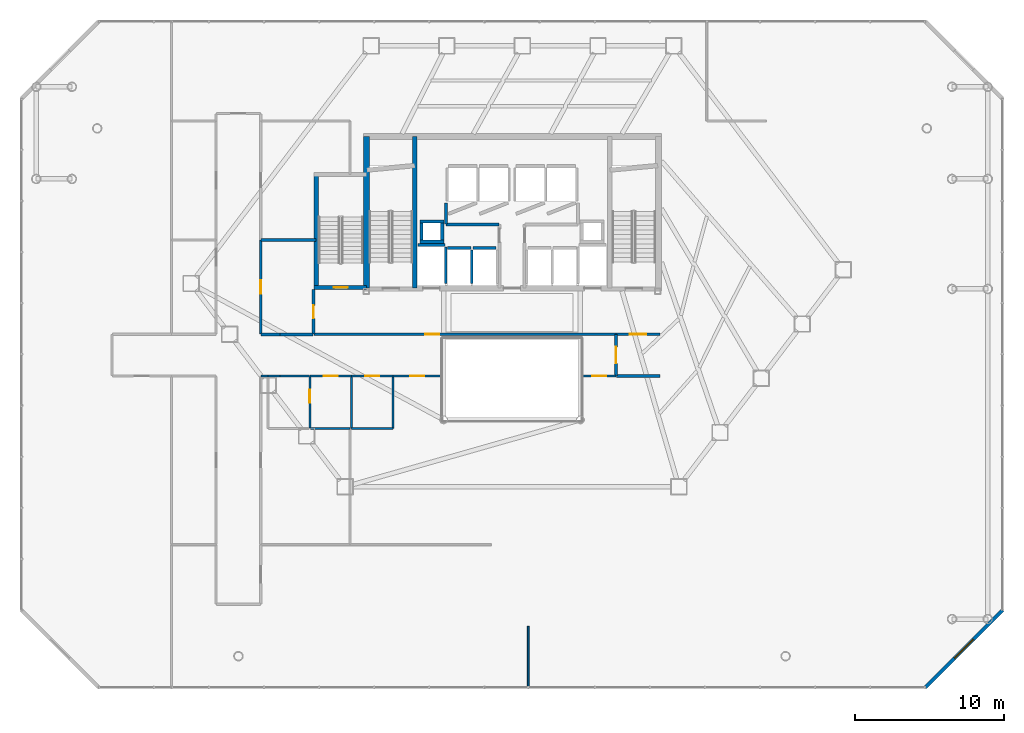
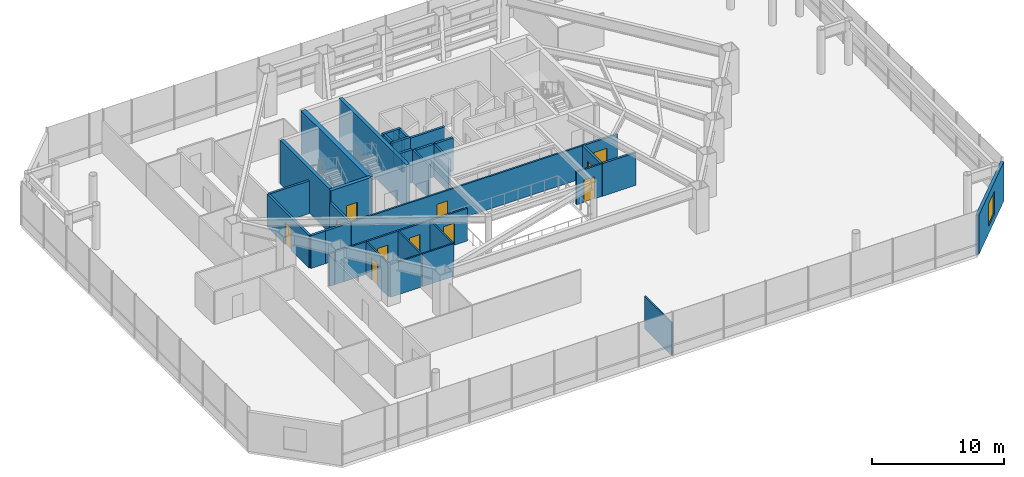
# One storey, part 30 of 33: 38 walls, 11 doors, 1 window, 12 openings.
"""IFC4 building model written with IfcOpenShell, lengths in metres."""

from ifc_helpers import new_model, si_unit, direction, frame, frame_2d, origin, place, context, subcontext, project, spatial, rectangle, extrude, material, layer, layer_set, type_object, element, fill, save


model = new_model("IFC4")

# Units and contexts
model_context = context("Model", 3, precision=1e-05, world=origin(), true_north=direction((0.0, 1.0)))
body_context = subcontext(model_context, "Body", "Model", "MODEL_VIEW")
ifc_project = project(units=[si_unit("LENGTHUNIT", "METRE"), si_unit("AREAUNIT", "SQUARE_METRE"), si_unit("VOLUMEUNIT", "CUBIC_METRE"), si_unit("PLANEANGLEUNIT", "RADIAN"), si_unit("MASSUNIT", "GRAM", prefix="KILO")], contexts=[model_context])

# Site, building, storey
site_placement = place(None, origin())
site = spatial("IfcSite", under=ifc_project, at=site_placement, CompositionType="ELEMENT")
building_placement = place(site_placement, origin())
building = spatial("IfcBuilding", under=site, at=building_placement, Name="Zarrinselat Tower", CompositionType="ELEMENT")
storey_placement = place(building_placement, frame((0.0, 0.0, 18.360107421875)))
storey = spatial("IfcBuildingStorey", under=building, at=storey_placement, Name="L04", CompositionType="ELEMENT", Elevation=18.360107421875)

# Wall, opening, window
ifc_material_1 = material(Name="Honed Cream Travertine Stone", Category="masonry")
ifc_layer_1 = layer(ifc_material_1, 0.260009765625)
ifc_layer_set_1 = layer_set([ifc_layer_1], Name="Honed Cream Travertine Stone")
wall_type_1 = type_object("IfcWallType", Name="WAL-EXT-STONE-260", PredefinedType="STANDARD", material=ifc_layer_set_1)
wall_1_placement = place(storey_placement, frame((66.199951171875, 6.39990234375, 0.0), z_axis=(0.0, 0.0, 1.0), x_axis=(0.707090181851, 0.707123380132, 0.0)))
wall_1 = element("IfcWall", 1, at=wall_1_placement, inside=storey, type_object=wall_type_1, Name="L04 Chamfered Stone Corner Wall 1", PredefinedType="STANDARD", context=body_context, shape_type="SweptSolid", body=[
    extrude(rectangle(XDim=7.35400390625, YDim=0.260009765625, at=frame_2d((3.677001953125, 0.0))), origin(), (0.0, 0.0, 1.0), 3.64990234375),
])
opening_1_placement = place(wall_1_placement, frame((2.777099609375, 0.0, 0.699951171875)))
opening_1 = element("IfcOpeningElement", 2, at=opening_1_placement, cuts=wall_1, Name="Opening WN-2", PredefinedType="OPENING", context=body_context, shape_type="SweptSolid", body=[
    extrude(rectangle(XDim=1.800048828125, YDim=2.10009765625, at=frame_2d((0.89990234375, 1.050048828125))), frame((0.0, 0.139892578125, 0.0), z_axis=(0.0, -1.0, 0.0), x_axis=(1.0, 0.0, 0.0)), (0.0, 0.0, 1.0), 0.280029296875),
])
ifc_material_2 = material(Name="Double Low-E Laminated Solar Glass", Category="glass")
window_type = type_object("IfcWindowType", Name="WIN-GALLERY-1800", PartitioningType="SINGLE_PANEL", PredefinedType="WINDOW", material=ifc_material_2)
window_placement = place(opening_1_placement, origin())
window = element("IfcWindow", 3, at=window_placement, inside=storey, type_object=window_type, Name="L04 Corner Gallery Window 1", OverallHeight=2.10009765625, OverallWidth=1.800048828125, PartitioningType="SINGLE_PANEL", PredefinedType="WINDOW", context=body_context, shape_type="SweptSolid", body=[
    extrude(rectangle(XDim=1.800048828125, YDim=2.10009765625, at=frame_2d((0.89990234375, 1.050048828125))), frame((0.0, 0.030029296875, 0.0), z_axis=(0.0, -1.0, 0.0), x_axis=(1.0, 0.0, 0.0)), (0.0, 0.0, 1.0), 0.06005859375),
])
fill(opening_1, window)

# Wall, opening, door
ifc_material_3 = material(Name="Concrete C40/50", Category="concrete")
ifc_layer_2 = layer(ifc_material_3, 0.18994140625)
ifc_layer_set_2 = layer_set([ifc_layer_2], Name="Concrete C40/50")
wall_type_2 = type_object("IfcWallType", Name="WAL-PART-EI120", PredefinedType="PARTITIONING", material=ifc_layer_set_2)
wall_2_placement = place(storey_placement, frame((45.405029296875, 30.14990234375, 0.0), z_axis=(0.0, 0.0, 1.0), x_axis=(1.0, 0.0, 0.0)))
wall_2 = element("IfcWall", 4, at=wall_2_placement, inside=storey, type_object=wall_type_2, Name="L04 Partition Wall 7", PredefinedType="PARTITIONING", context=body_context, shape_type="SweptSolid", body=[
    extrude(rectangle(XDim=2.945068359375, YDim=0.18994140625, at=frame_2d((1.47265625, 0.0))), origin(), (0.0, 0.0, 1.0), 3.02685546875),
])
opening_2_placement = place(wall_2_placement, frame((0.91259765625, 0.0, 0.0)))
opening_2 = element("IfcOpeningElement", 5, at=opening_2_placement, cuts=wall_2, Name="Opening ID-02", PredefinedType="OPENING", context=body_context, shape_type="SweptSolid", body=[
    extrude(rectangle(XDim=1.1201171875, YDim=2.050048828125, at=frame_2d((0.56005859375, 1.02490234375))), frame((0.0, 0.10498046875, 0.0), z_axis=(0.0, -1.0, 0.0), x_axis=(1.0, 0.0, 0.0)), (0.0, 0.0, 1.0), 0.2099609375),
])
ifc_material_4 = material(Name="Steel S355J2", Category="steel")
door_type_1 = type_object("IfcDoorType", Name="DR-INT-FD60-W", OperationType="NOTDEFINED", PredefinedType="DOOR", material=ifc_material_4)
door_1_placement = place(opening_2_placement, origin())
door_1 = element("IfcDoor", 6, at=door_1_placement, inside=storey, type_object=door_type_1, Name="L04 Interior Door P7", OperationType="SINGLE_SWING_RIGHT", OverallHeight=2.050048828125, OverallWidth=1.1201171875, PredefinedType="DOOR", context=body_context, shape_type="SweptSolid", body=[
    extrude(rectangle(XDim=1.1201171875, YDim=2.050048828125, at=frame_2d((0.56005859375, 1.02490234375))), frame((0.0, 0.02490234375, 0.0), z_axis=(0.0, -1.0, 0.0), x_axis=(1.0, 0.0, 0.0)), (0.0, 0.0, 1.0), 0.050048828125),
])
fill(opening_2, door_1)

wall_3_placement = place(storey_placement, frame((45.39990234375, 27.3701171875, 0.0), z_axis=(0.0, 0.0, 1.0), x_axis=(0.0, 1.0, 0.0)))
wall_3 = element("IfcWall", 7, at=wall_3_placement, inside=storey, type_object=wall_type_2, Name="L04 Partition Wall 10", PredefinedType="PARTITIONING", context=body_context, shape_type="SweptSolid", body=[
    extrude(rectangle(XDim=2.759765625, YDim=0.18994140625, at=frame_2d((1.3798828125, 0.0))), origin(), (0.0, 0.0, 1.0), 3.02685546875),
])
opening_3_placement = place(wall_3_placement, frame((0.820068359375, 0.0, 0.0)))
opening_3 = element("IfcOpeningElement", 8, at=opening_3_placement, cuts=wall_3, Name="Opening ID-02", PredefinedType="OPENING", context=body_context, shape_type="SweptSolid", body=[
    extrude(rectangle(XDim=1.1201171875, YDim=2.050048828125, at=frame_2d((0.56005859375, 1.02490234375))), frame((0.0, 0.10498046875, 0.0), z_axis=(0.0, -1.0, 0.0), x_axis=(1.0, 0.0, 0.0)), (0.0, 0.0, 1.0), 0.2099609375),
])
door_2_placement = place(opening_3_placement, origin())
door_2 = element("IfcDoor", 9, at=door_2_placement, inside=storey, type_object=door_type_1, Name="L04 Interior Door P10", OperationType="SINGLE_SWING_LEFT", OverallHeight=2.050048828125, OverallWidth=1.1201171875, PredefinedType="DOOR", context=body_context, shape_type="SweptSolid", body=[
    extrude(rectangle(XDim=1.1201171875, YDim=2.050048828125, at=frame_2d((0.56005859375, 1.02490234375))), frame((0.0, 0.02490234375, 0.0), z_axis=(0.0, -1.0, 0.0), x_axis=(1.0, 0.0, 0.0)), (0.0, 0.0, 1.0), 0.050048828125),
])
fill(opening_3, door_2)

# Wall
wall_4_placement = place(storey_placement, frame((45.419921875, 27.35009765625, 0.0), z_axis=(0.0, 0.0, 1.0), x_axis=(1.0, 0.0, 0.0)))
element("IfcWall", 10, at=wall_4_placement, inside=storey, type_object=wall_type_2, Name="L04 Partition Wall 11", PredefinedType="PARTITIONING", context=body_context, shape_type="SweptSolid", body=[
    extrude(rectangle(XDim=2.93017578125, YDim=0.18994140625, at=frame_2d((1.465087890625, 0.0))), origin(), (0.0, 0.0, 1.0), 3.02685546875),
])

# Wall, opening, door
ifc_material_5 = material(Name="Fire-Rated Gypsum Board Partition", Category="gypsum")
ifc_layer_3 = layer(ifc_material_5, 0.14990234375)
ifc_layer_set_3 = layer_set([ifc_layer_3], Name="Fire-Rated Gypsum Board Partition")
wall_type_3 = type_object("IfcWallType", Name="WAL-PART-EI60", PredefinedType="PARTITIONING", material=ifc_layer_set_3)
wall_5_placement = place(storey_placement, frame((25.070068359375, 30.14990234375, 0.0), z_axis=(0.0, 0.0, 1.0), x_axis=(1.0, 0.0, 0.0)))
wall_5 = element("IfcWall", 11, at=wall_5_placement, inside=storey, type_object=wall_type_3, Name="L04 Partition Wall 8", PredefinedType="PARTITIONING", context=body_context, shape_type="SweptSolid", body=[
    extrude(rectangle(XDim=20.324951171875, YDim=0.14990234375, at=frame_2d((10.16259765625, 0.0))), origin(), (0.0, 0.0, 1.0), 3.02685546875),
])
opening_4_placement = place(wall_5_placement, frame((7.492431640625, 0.0, 0.0)))
opening_4 = element("IfcOpeningElement", 12, at=opening_4_placement, cuts=wall_5, Name="Opening ID-04", PredefinedType="OPENING", context=body_context, shape_type="SweptSolid", body=[
    extrude(rectangle(XDim=0.93994140625, YDim=2.050048828125, at=frame_2d((0.469970703125, 1.02490234375))), frame((0.0, 0.0849609375, 0.0), z_axis=(0.0, -1.0, 0.0), x_axis=(1.0, 0.0, 0.0)), (0.0, 0.0, 1.0), 0.169921875),
])
ifc_material_6 = material(Name="Fire-Rated Gypsum Board Partition")
door_type_2 = type_object("IfcDoorType", Name="DR-INT-FD30-ENT", OperationType="NOTDEFINED", PredefinedType="DOOR", material=ifc_material_6)
door_3_placement = place(opening_4_placement, origin())
door_3 = element("IfcDoor", 13, at=door_3_placement, inside=storey, type_object=door_type_2, Name="L04 Interior Door P8", OperationType="SINGLE_SWING_LEFT", OverallHeight=2.050048828125, OverallWidth=0.93994140625, PredefinedType="DOOR", context=body_context, shape_type="SweptSolid", body=[
    extrude(rectangle(XDim=0.93994140625, YDim=2.050048828125, at=frame_2d((0.469970703125, 1.02490234375))), frame((0.0, 0.02490234375, 0.0), z_axis=(0.0, -1.0, 0.0), x_axis=(1.0, 0.0, 0.0)), (0.0, 0.0, 1.0), 0.050048828125),
])
fill(opening_4, door_3)

# Walls
wall_6_placement = place(storey_placement, frame((22.800048828125, 27.35009765625, 0.0), z_axis=(0.0, 0.0, 1.0), x_axis=(1.0, 0.0, 0.0)))
element("IfcWall", 14, at=wall_6_placement, inside=storey, type_object=wall_type_3, Name="L04 Partition Wall 12", PredefinedType="PARTITIONING", context=body_context, shape_type="SweptSolid", body=[
    extrude(rectangle(XDim=1.994873046875, YDim=0.14990234375, at=frame_2d((0.99755859375, 0.0))), origin(), (0.0, 0.0, 1.0), 3.02685546875),
])
wall_7_placement = place(storey_placement, frame((22.0048828125, 27.35009765625, 0.0), z_axis=(0.0, 0.0, 1.0), x_axis=(1.0, 0.0, 0.0)))
element("IfcWall", 15, at=wall_7_placement, inside=storey, type_object=wall_type_3, Name="L04 Partition Wall 13", PredefinedType="PARTITIONING", context=body_context, shape_type="SweptSolid", body=[
    extrude(rectangle(XDim=0.795166015625, YDim=0.14990234375, at=frame_2d((0.3974609375, 0.0))), origin(), (0.0, 0.0, 1.0), 3.02685546875),
])

# Wall, opening, door
wall_8_placement = place(storey_placement, frame((24.804931640625, 27.35009765625, 0.0), z_axis=(0.0, 0.0, 1.0), x_axis=(1.0, 0.0, 0.0)))
wall_8 = element("IfcWall", 16, at=wall_8_placement, inside=storey, type_object=wall_type_3, Name="L04 Partition Wall 14", PredefinedType="PARTITIONING", context=body_context, shape_type="SweptSolid", body=[
    extrude(rectangle(XDim=2.7900390625, YDim=0.14990234375, at=frame_2d((1.39501953125, 0.0))), origin(), (0.0, 0.0, 1.0), 3.02685546875),
])
opening_5_placement = place(wall_8_placement, frame((0.925048828125, 0.0, 0.0)))
opening_5 = element("IfcOpeningElement", 17, at=opening_5_placement, cuts=wall_8, Name="Opening ID-04", PredefinedType="OPENING", context=body_context, shape_type="SweptSolid", body=[
    extrude(rectangle(XDim=0.93994140625, YDim=2.050048828125, at=frame_2d((0.469970703125, 1.02490234375))), frame((0.0, 0.0849609375, 0.0), z_axis=(0.0, -1.0, 0.0), x_axis=(1.0, 0.0, 0.0)), (0.0, 0.0, 1.0), 0.169921875),
])
door_4_placement = place(opening_5_placement, origin())
door_4 = element("IfcDoor", 18, at=door_4_placement, inside=storey, type_object=door_type_2, Name="L04 Interior Door P14", OperationType="SINGLE_SWING_RIGHT", OverallHeight=2.050048828125, OverallWidth=0.93994140625, PredefinedType="DOOR", context=body_context, shape_type="SweptSolid", body=[
    extrude(rectangle(XDim=0.93994140625, YDim=2.050048828125, at=frame_2d((0.469970703125, 1.02490234375))), frame((0.0, 0.02490234375, 0.0), z_axis=(0.0, -1.0, 0.0), x_axis=(1.0, 0.0, 0.0)), (0.0, 0.0, 1.0), 0.050048828125),
])
fill(opening_5, door_4)

wall_9_placement = place(storey_placement, frame((27.60498046875, 27.35009765625, 0.0), z_axis=(0.0, 0.0, 1.0), x_axis=(1.0, 0.0, 0.0)))
wall_9 = element("IfcWall", 19, at=wall_9_placement, inside=storey, type_object=wall_type_3, Name="L04 Partition Wall 15", PredefinedType="PARTITIONING", context=body_context, shape_type="SweptSolid", body=[
    extrude(rectangle(XDim=2.7900390625, YDim=0.14990234375, at=frame_2d((1.39501953125, 0.0))), origin(), (0.0, 0.0, 1.0), 3.02685546875),
])
opening_6_placement = place(wall_9_placement, frame((0.925048828125, 0.0, 0.0)))
opening_6 = element("IfcOpeningElement", 20, at=opening_6_placement, cuts=wall_9, Name="Opening ID-04", PredefinedType="OPENING", context=body_context, shape_type="SweptSolid", body=[
    extrude(rectangle(XDim=0.93994140625, YDim=2.050048828125, at=frame_2d((0.469970703125, 1.02490234375))), frame((0.0, 0.0849609375, 0.0), z_axis=(0.0, -1.0, 0.0), x_axis=(1.0, 0.0, 0.0)), (0.0, 0.0, 1.0), 0.169921875),
])
door_5_placement = place(opening_6_placement, origin())
door_5 = element("IfcDoor", 21, at=door_5_placement, inside=storey, type_object=door_type_2, Name="L04 Interior Door P15", OperationType="SINGLE_SWING_LEFT", OverallHeight=2.050048828125, OverallWidth=0.93994140625, PredefinedType="DOOR", context=body_context, shape_type="SweptSolid", body=[
    extrude(rectangle(XDim=0.93994140625, YDim=2.050048828125, at=frame_2d((0.469970703125, 1.02490234375))), frame((0.0, 0.02490234375, 0.0), z_axis=(0.0, -1.0, 0.0), x_axis=(1.0, 0.0, 0.0)), (0.0, 0.0, 1.0), 0.050048828125),
])
fill(opening_6, door_5)

# Wall
wall_10_placement = place(storey_placement, frame((21.52001953125, 27.35009765625, 0.0), z_axis=(0.0, 0.0, 1.0), x_axis=(1.0, 0.0, 0.0)))
element("IfcWall", 22, at=wall_10_placement, inside=storey, type_object=wall_type_3, Name="L04 Partition Wall 19", PredefinedType="PARTITIONING", context=body_context, shape_type="SweptSolid", body=[
    extrude(rectangle(XDim=0.47509765625, YDim=0.14990234375, at=frame_2d((0.237548828125, 0.0))), origin(), (0.0, 0.0, 1.0), 3.02685546875),
])

# Wall, opening, door
wall_11_placement = place(storey_placement, frame((30.405029296875, 27.35009765625, 0.0), z_axis=(0.0, 0.0, 1.0), x_axis=(1.0, 0.0, 0.0)))
wall_11 = element("IfcWall", 23, at=wall_11_placement, inside=storey, type_object=wall_type_3, Name="L04 Partition Wall 21", PredefinedType="PARTITIONING", context=body_context, shape_type="SweptSolid", body=[
    extrude(rectangle(XDim=3.215087890625, YDim=0.14990234375, at=frame_2d((1.607421875, 0.0))), origin(), (0.0, 0.0, 1.0), 3.02685546875),
])
opening_7_placement = place(wall_11_placement, frame((1.137451171875, 0.0, 0.0)))
opening_7 = element("IfcOpeningElement", 24, at=opening_7_placement, cuts=wall_11, Name="Opening ID-04", PredefinedType="OPENING", context=body_context, shape_type="SweptSolid", body=[
    extrude(rectangle(XDim=0.93994140625, YDim=2.050048828125, at=frame_2d((0.469970703125, 1.02490234375))), frame((0.0, 0.0849609375, 0.0), z_axis=(0.0, -1.0, 0.0), x_axis=(1.0, 0.0, 0.0)), (0.0, 0.0, 1.0), 0.169921875),
])
door_6_placement = place(opening_7_placement, origin())
door_6 = element("IfcDoor", 25, at=door_6_placement, inside=storey, type_object=door_type_2, Name="L04 Interior Door P21", OperationType="SINGLE_SWING_RIGHT", OverallHeight=2.050048828125, OverallWidth=0.93994140625, PredefinedType="DOOR", context=body_context, shape_type="SweptSolid", body=[
    extrude(rectangle(XDim=0.93994140625, YDim=2.050048828125, at=frame_2d((0.469970703125, 1.02490234375))), frame((0.0, 0.02490234375, 0.0), z_axis=(0.0, -1.0, 0.0), x_axis=(1.0, 0.0, 0.0)), (0.0, 0.0, 1.0), 0.050048828125),
])
fill(opening_7, door_6)

wall_12_placement = place(storey_placement, frame((43.179931640625, 27.35009765625, 0.0), z_axis=(0.0, 0.0, 1.0), x_axis=(1.0, 0.0, 0.0)))
wall_12 = element("IfcWall", 26, at=wall_12_placement, inside=storey, type_object=wall_type_3, Name="L04 Partition Wall 22", PredefinedType="PARTITIONING", context=body_context, shape_type="SweptSolid", body=[
    extrude(rectangle(XDim=2.199951171875, YDim=0.14990234375, at=frame_2d((1.10009765625, 0.0))), origin(), (0.0, 0.0, 1.0), 3.02685546875),
])
opening_8_placement = place(wall_12_placement, frame((0.6298828125, 0.0, 0.0)))
opening_8 = element("IfcOpeningElement", 27, at=opening_8_placement, cuts=wall_12, Name="Opening ID-04", PredefinedType="OPENING", context=body_context, shape_type="SweptSolid", body=[
    extrude(rectangle(XDim=0.93994140625, YDim=2.050048828125, at=frame_2d((0.469970703125, 1.02490234375))), frame((0.0, 0.0849609375, 0.0), z_axis=(0.0, -1.0, 0.0), x_axis=(1.0, 0.0, 0.0)), (0.0, 0.0, 1.0), 0.169921875),
])
door_7_placement = place(opening_8_placement, origin())
door_7 = element("IfcDoor", 28, at=door_7_placement, inside=storey, type_object=door_type_2, Name="L04 Interior Door P22", OperationType="SINGLE_SWING_LEFT", OverallHeight=2.050048828125, OverallWidth=0.93994140625, PredefinedType="DOOR", context=body_context, shape_type="SweptSolid", body=[
    extrude(rectangle(XDim=0.93994140625, YDim=2.050048828125, at=frame_2d((0.469970703125, 1.02490234375))), frame((0.0, 0.02490234375, 0.0), z_axis=(0.0, -1.0, 0.0), x_axis=(1.0, 0.0, 0.0)), (0.0, 0.0, 1.0), 0.050048828125),
])
fill(opening_8, door_7)

# Walls
ifc_material_7 = material(Name="Concrete C40/50", Category="concrete")
ifc_layer_4 = layer(ifc_material_7, 0.199951171875)
ifc_layer_set_4 = layer_set([ifc_layer_4], Name="Concrete C40/50")
wall_type_4 = type_object("IfcWallType", Name="WAL-PART-PLANT", PredefinedType="PARTITIONING", material=ifc_layer_set_4)
wall_13_placement = place(storey_placement, frame((33.969970703125, 37.550048828125, 0.0), z_axis=(0.0, 0.0, 1.0), x_axis=(1.0, 0.0, 0.0)))
element("IfcWall", 29, at=wall_13_placement, inside=storey, type_object=wall_type_4, Name="L04 Partition Wall 2", PredefinedType="PARTITIONING", context=body_context, shape_type="SweptSolid", body=[
    extrude(rectangle(XDim=3.56005859375, YDim=0.199951171875, at=frame_2d((1.780029296875, 0.0))), origin(), (0.0, 0.0, 1.0), 3.02685546875),
])
wall_14_placement = place(storey_placement, frame((33.949951171875, 37.570068359375, 0.0), z_axis=(0.0, 0.0, 1.0), x_axis=(0.0, 1.0, 0.0)))
element("IfcWall", 30, at=wall_14_placement, inside=storey, type_object=wall_type_4, Name="L04 Partition Wall 3", PredefinedType="PARTITIONING", context=body_context, shape_type="SweptSolid", body=[
    extrude(rectangle(XDim=1.4150390625, YDim=0.199951171875, at=frame_2d((0.70751953125, 0.0))), origin(), (0.0, 0.0, 1.0), 3.02685546875),
])

# Wall, opening, door
wall_15_placement = place(storey_placement, frame((25.050048828125, 30.169921875, 0.0), z_axis=(0.0, 0.0, 1.0), x_axis=(0.0, 1.0, 0.0)))
wall_15 = element("IfcWall", 31, at=wall_15_placement, inside=storey, type_object=wall_type_4, Name="L04 Partition Wall 9", PredefinedType="PARTITIONING", context=body_context, shape_type="SweptSolid", body=[
    extrude(rectangle(XDim=2.97998046875, YDim=0.199951171875, at=frame_2d((1.489990234375, 0.0))), origin(), (0.0, 0.0, 1.0), 3.02685546875),
])
opening_9_placement = place(wall_15_placement, frame((1.050048828125, 0.0, 0.0)))
opening_9 = element("IfcOpeningElement", 32, at=opening_9_placement, cuts=wall_15, Name="Opening ID-03", PredefinedType="OPENING", context=body_context, shape_type="SweptSolid", body=[
    extrude(rectangle(XDim=0.8798828125, YDim=2.050048828125, at=frame_2d((0.43994140625, 1.02490234375))), frame((0.0, 0.10986328125, 0.0), z_axis=(0.0, -1.0, 0.0), x_axis=(1.0, 0.0, 0.0)), (0.0, 0.0, 1.0), 0.219970703125),
])
ifc_material_8 = material(Name="Steel S355J2", Category="steel")
door_type_3 = type_object("IfcDoorType", Name="DR-INT-FD60-S", OperationType="NOTDEFINED", PredefinedType="DOOR", material=ifc_material_8)
door_8_placement = place(opening_9_placement, origin())
door_8 = element("IfcDoor", 33, at=door_8_placement, inside=storey, type_object=door_type_3, Name="L04 Interior Door P9", OperationType="SINGLE_SWING_RIGHT", OverallHeight=2.050048828125, OverallWidth=0.8798828125, PredefinedType="DOOR", context=body_context, shape_type="SweptSolid", body=[
    extrude(rectangle(XDim=0.8798828125, YDim=2.050048828125, at=frame_2d((0.43994140625, 1.02490234375))), frame((0.0, 0.02490234375, 0.0), z_axis=(0.0, -1.0, 0.0), x_axis=(1.0, 0.0, 0.0)), (0.0, 0.0, 1.0), 0.050048828125),
])
fill(opening_9, door_8)

wall_16_placement = place(storey_placement, frame((21.5, 30.169921875, 0.0), z_axis=(0.0, 0.0, 1.0), x_axis=(0.0, 1.0, 0.0)))
wall_16 = element("IfcWall", 34, at=wall_16_placement, inside=storey, type_object=wall_type_4, Name="L04 Partition Wall 30", PredefinedType="PARTITIONING", context=body_context, shape_type="SweptSolid", body=[
    extrude(rectangle(XDim=6.3251953125, YDim=0.199951171875, at=frame_2d((3.16259765625, 0.0))), origin(), (0.0, 0.0, 1.0), 3.02685546875),
])
opening_10_placement = place(wall_16_placement, frame((2.722412109375, 0.0, 0.0)))
opening_10 = element("IfcOpeningElement", 35, at=opening_10_placement, cuts=wall_16, Name="Opening ID-03", PredefinedType="OPENING", context=body_context, shape_type="SweptSolid", body=[
    extrude(rectangle(XDim=0.8798828125, YDim=2.050048828125, at=frame_2d((0.43994140625, 1.02490234375))), frame((0.0, 0.10986328125, 0.0), z_axis=(0.0, -1.0, 0.0), x_axis=(1.0, 0.0, 0.0)), (0.0, 0.0, 1.0), 0.219970703125),
])
door_9_placement = place(opening_10_placement, origin())
door_9 = element("IfcDoor", 36, at=door_9_placement, inside=storey, type_object=door_type_3, Name="L04 Interior Door P30", OperationType="SINGLE_SWING_LEFT", OverallHeight=2.050048828125, OverallWidth=0.8798828125, PredefinedType="DOOR", context=body_context, shape_type="SweptSolid", body=[
    extrude(rectangle(XDim=0.8798828125, YDim=2.050048828125, at=frame_2d((0.43994140625, 1.02490234375))), frame((0.0, 0.02490234375, 0.0), z_axis=(0.0, -1.0, 0.0), x_axis=(1.0, 0.0, 0.0)), (0.0, 0.0, 1.0), 0.050048828125),
])
fill(opening_10, door_9)

# Walls
wall_17_placement = place(storey_placement, frame((21.52001953125, 30.14990234375, 0.0), z_axis=(0.0, 0.0, 1.0), x_axis=(1.0, 0.0, 0.0)))
element("IfcWall", 37, at=wall_17_placement, inside=storey, type_object=wall_type_4, Name="L04 Partition Wall 31", PredefinedType="PARTITIONING", context=body_context, shape_type="SweptSolid", body=[
    extrude(rectangle(XDim=1.280029296875, YDim=0.199951171875, at=frame_2d((0.64013671875, 0.0))), origin(), (0.0, 0.0, 1.0), 3.02685546875),
])
wall_18_placement = place(storey_placement, frame((22.800048828125, 30.14990234375, 0.0), z_axis=(0.0, 0.0, 1.0), x_axis=(1.0, 0.0, 0.0)))
element("IfcWall", 38, at=wall_18_placement, inside=storey, type_object=wall_type_4, Name="L04 Partition Wall 32", PredefinedType="PARTITIONING", context=body_context, shape_type="SweptSolid", body=[
    extrude(rectangle(XDim=2.22998046875, YDim=0.199951171875, at=frame_2d((1.114990234375, 0.0))), origin(), (0.0, 0.0, 1.0), 3.02685546875),
])
wall_19_placement = place(storey_placement, frame((21.52001953125, 36.5, 0.0), z_axis=(0.0, 0.0, 1.0), x_axis=(1.0, 0.0, 0.0)))
element("IfcWall", 39, at=wall_19_placement, inside=storey, type_object=wall_type_4, Name="L04 Partition Wall 58", PredefinedType="PARTITIONING", context=body_context, shape_type="SweptSolid", body=[
    extrude(rectangle(XDim=3.695068359375, YDim=0.199951171875, at=frame_2d((1.84765625, 0.0))), origin(), (0.0, 0.0, 1.0), 3.02685546875),
])
ifc_material_9 = material(Name="Fire-Rated Gypsum Board Partition", Category="gypsum")
ifc_layer_5 = layer(ifc_material_9, 0.1201171875)
ifc_layer_set_5 = layer_set([ifc_layer_5], Name="Fire-Rated Gypsum Board Partition")
wall_type_5 = type_object("IfcWallType", Name="WAL-PART-STD", PredefinedType="PARTITIONING", material=ifc_layer_set_5)
wall_20_placement = place(storey_placement, frame((39.5, 6.4150390625, 0.0), z_axis=(0.0, 0.0, 1.0), x_axis=(0.0, 1.0, 0.0)))
element("IfcWall", 40, at=wall_20_placement, inside=storey, type_object=wall_type_5, Name="L04 Partition Wall 47", PredefinedType="PARTITIONING", context=body_context, shape_type="SweptSolid", body=[
    extrude(rectangle(XDim=4.0849609375, YDim=0.1201171875, at=frame_2d((2.04248046875, 0.0))), origin(), (0.0, 0.0, 1.0), 3.02685546875),
])

# Wall, opening, door
ifc_material_10 = material(Name="Fire-Rated Gypsum Board Partition", Category="gypsum")
ifc_layer_6 = layer(ifc_material_10, 0.135009765625)
ifc_layer_set_6 = layer_set([ifc_layer_6], Name="Fire-Rated Gypsum Board Partition")
wall_type_6 = type_object("IfcWallType", Name="WAL-PART-WET", PredefinedType="PARTITIONING", material=ifc_layer_set_6)
wall_21_placement = place(storey_placement, frame((24.800048828125, 23.847900390625, 0.0), z_axis=(0.0, 0.0, 1.0), x_axis=(0.0, 1.0, 0.0)))
wall_21 = element("IfcWall", 41, at=wall_21_placement, inside=storey, type_object=wall_type_6, Name="L04 Partition Wall 38", PredefinedType="PARTITIONING", context=body_context, shape_type="SweptSolid", body=[
    extrude(rectangle(XDim=3.482177734375, YDim=0.135009765625, at=frame_2d((1.7412109375, 0.0))), origin(), (0.0, 0.0, 1.0), 3.02685546875),
])
opening_11_placement = place(wall_21_placement, frame((1.7109375, 0.0, 0.0)))
opening_11 = element("IfcOpeningElement", 42, at=opening_11_placement, cuts=wall_21, Name="Opening ID-06", PredefinedType="OPENING", context=body_context, shape_type="SweptSolid", body=[
    extrude(rectangle(XDim=0.860107421875, YDim=2.050048828125, at=frame_2d((0.43017578125, 1.02490234375))), frame((0.0, 0.077392578125, 0.0), z_axis=(0.0, -1.0, 0.0), x_axis=(1.0, 0.0, 0.0)), (0.0, 0.0, 1.0), 0.155029296875),
])
ifc_material_11 = material(Name="Extruded Aluminium Alloy EN AW-6063 T6", Category="aluminium")
door_type_4 = type_object("IfcDoorType", Name="DR-INT-WET-900", OperationType="NOTDEFINED", PredefinedType="DOOR", material=ifc_material_11)
door_10_placement = place(opening_11_placement, origin())
door_10 = element("IfcDoor", 43, at=door_10_placement, inside=storey, type_object=door_type_4, Name="L04 Interior Door P38", OperationType="SINGLE_SWING_LEFT", OverallHeight=2.050048828125, OverallWidth=0.860107421875, PredefinedType="DOOR", context=body_context, shape_type="SweptSolid", body=[
    extrude(rectangle(XDim=0.860107421875, YDim=2.050048828125, at=frame_2d((0.43017578125, 1.02490234375))), frame((0.0, 0.02490234375, 0.0), z_axis=(0.0, -1.0, 0.0), x_axis=(1.0, 0.0, 0.0)), (0.0, 0.0, 1.0), 0.050048828125),
])
fill(opening_11, door_10)

# Walls
wall_22_placement = place(storey_placement, frame((27.60009765625, 23.820068359375, 0.0), z_axis=(0.0, 0.0, 1.0), x_axis=(0.0, 1.0, 0.0)))
element("IfcWall", 44, at=wall_22_placement, inside=storey, type_object=wall_type_6, Name="L04 Partition Wall 41", PredefinedType="PARTITIONING", context=body_context, shape_type="SweptSolid", body=[
    extrude(rectangle(XDim=3.510009765625, YDim=0.135009765625, at=frame_2d((1.7548828125, 0.0))), origin(), (0.0, 0.0, 1.0), 3.02685546875),
])
wall_23_placement = place(storey_placement, frame((24.847900390625, 23.800048828125, 0.0), z_axis=(0.0, 0.0, 1.0), x_axis=(1.0, 0.0, 0.0)))
element("IfcWall", 45, at=wall_23_placement, inside=storey, type_object=wall_type_6, Name="L04 Partition Wall 42", PredefinedType="PARTITIONING", context=body_context, shape_type="SweptSolid", body=[
    extrude(rectangle(XDim=2.647216796875, YDim=0.135009765625, at=frame_2d((1.32373046875, 0.0))), origin(), (0.0, 0.0, 1.0), 3.02685546875),
])
wall_24_placement = place(storey_placement, frame((27.6201171875, 23.800048828125, 0.0), z_axis=(0.0, 0.0, 1.0), x_axis=(1.0, 0.0, 0.0)))
element("IfcWall", 46, at=wall_24_placement, inside=storey, type_object=wall_type_6, Name="L04 Partition Wall 43", PredefinedType="PARTITIONING", context=body_context, shape_type="SweptSolid", body=[
    extrude(rectangle(XDim=2.759765625, YDim=0.135009765625, at=frame_2d((1.3798828125, 0.0))), origin(), (0.0, 0.0, 1.0), 3.02685546875),
])
wall_25_placement = place(storey_placement, frame((30.39990234375, 23.820068359375, 0.0), z_axis=(0.0, 0.0, 1.0), x_axis=(0.0, 1.0, 0.0)))
element("IfcWall", 47, at=wall_25_placement, inside=storey, type_object=wall_type_6, Name="L04 Partition Wall 44", PredefinedType="PARTITIONING", context=body_context, shape_type="SweptSolid", body=[
    extrude(rectangle(XDim=3.510009765625, YDim=0.135009765625, at=frame_2d((1.7548828125, 0.0))), origin(), (0.0, 0.0, 1.0), 3.02685546875),
])
ifc_material_12 = material(Name="Concrete C40/50", Category="concrete")
ifc_layer_7 = layer(ifc_material_12, 0.2099609375)
ifc_layer_set_7 = layer_set([ifc_layer_7], Name="Concrete C40/50")
wall_type_7 = type_object("IfcWallType", Name="WAL-SHAFT-210", PredefinedType="SOLIDWALL", material=ifc_layer_set_7)
wall_26_placement = place(storey_placement, frame((32.080078125, 36.155029296875, 0.0), z_axis=(0.0, 0.0, 1.0), x_axis=(1.0, 0.0, 0.0)))
element("IfcWall", 48, at=wall_26_placement, inside=storey, type_object=wall_type_7, Name="L04 Lift FFL1 North Shaft Wall", PredefinedType="SOLIDWALL", context=body_context, shape_type="SweptSolid", body=[
    extrude(rectangle(XDim=1.7998046875, YDim=0.2099609375, at=frame_2d((0.89990234375, 0.0))), origin(), (0.0, 0.0, 1.0), 3.0419921875),
])
wall_27_placement = place(storey_placement, frame((33.949951171875, 33.580078125, 0.0), z_axis=(0.0, 0.0, 1.0), x_axis=(0.0, 1.0, 0.0)))
element("IfcWall", 49, at=wall_27_placement, inside=storey, type_object=wall_type_7, Name="L04 Lift FFL1 E Shaft Wall", PredefinedType="SOLIDWALL", context=body_context, shape_type="SweptSolid", body=[
    extrude(rectangle(XDim=2.449951171875, YDim=0.159912109375, at=frame_2d((1.22509765625, 0.0))), origin(), (0.0, 0.0, 1.0), 3.0419921875),
])
wall_28_placement = place(storey_placement, frame((34.070068359375, 35.955078125, 0.0), z_axis=(0.0, 0.0, 1.0), x_axis=(1.0, 0.0, 0.0)))
element("IfcWall", 50, at=wall_28_placement, inside=storey, type_object=wall_type_7, Name="L04 Lift PL5 North Shaft Wall", PredefinedType="SOLIDWALL", context=body_context, shape_type="SweptSolid", body=[
    extrude(rectangle(XDim=1.559814453125, YDim=0.2099609375, at=frame_2d((0.77978515625, 0.0))), origin(), (0.0, 0.0, 1.0), 3.0419921875),
])
wall_29_placement = place(storey_placement, frame((35.699951171875, 33.580078125, 0.0), z_axis=(0.0, 0.0, 1.0), x_axis=(0.0, 1.0, 0.0)))
element("IfcWall", 51, at=wall_29_placement, inside=storey, type_object=wall_type_7, Name="L04 Lift PL5 E Shaft Wall", PredefinedType="SOLIDWALL", context=body_context, shape_type="SweptSolid", body=[
    extrude(rectangle(XDim=2.25, YDim=0.159912109375, at=frame_2d((1.125, 0.0))), origin(), (0.0, 0.0, 1.0), 3.0419921875),
])
wall_30_placement = place(storey_placement, frame((35.77001953125, 35.955078125, 0.0), z_axis=(0.0, 0.0, 1.0), x_axis=(1.0, 0.0, 0.0)))
element("IfcWall", 52, at=wall_30_placement, inside=storey, type_object=wall_type_7, Name="L04 Lift PL6 North Shaft Wall", PredefinedType="SOLIDWALL", context=body_context, shape_type="SweptSolid", body=[
    extrude(rectangle(XDim=1.56005859375, YDim=0.2099609375, at=frame_2d((0.780029296875, 0.0))), origin(), (0.0, 0.0, 1.0), 3.0419921875),
])
for number, where, z_axis, x_axis, name in (
    (53, (32.2099609375, 36.375, 0.0), (0.0, 0.0, 1.0), (1.0, 0.0, 0.0), "L04 Core Riser RSR-W S Shaft Wall"),
    (54, (32.2099609375, 37.7451171875, 0.0), (0.0, 0.0, 1.0), (1.0, 0.0, 0.0), "L04 Core Riser RSR-W N Shaft Wall"),
):
    element("IfcWall", number, at=place(storey_placement, frame(where, z_axis=z_axis, x_axis=x_axis)), inside=storey, type_object=wall_type_7, Name=name, PredefinedType="SOLIDWALL", context=body_context, shape_type="SweptSolid", body=[
        extrude(rectangle(XDim=1.60009765625, YDim=0.2099609375, at=frame_2d((0.800048828125, 0.0))), origin(), (0.0, 0.0, 1.0), 4.06982421875),
    ])
for number, where, z_axis, x_axis, name in (
    (55, (32.31494140625, 36.485107421875, 0.0), (0.0, 0.0, 1.0), (0.0, 1.0, 0.0), "L04 Core Riser RSR-W W Shaft Wall"),
    (56, (33.705078125, 36.485107421875, 0.0), (0.0, 0.0, 1.0), (0.0, 1.0, 0.0), "L04 Core Riser RSR-W E Shaft Wall"),
):
    element("IfcWall", number, at=place(storey_placement, frame(where, z_axis=z_axis, x_axis=x_axis)), inside=storey, type_object=wall_type_7, Name=name, PredefinedType="SOLIDWALL", context=body_context, shape_type="SweptSolid", body=[
        extrude(rectangle(XDim=1.14990234375, YDim=0.2099609375, at=frame_2d((0.574951171875, 0.0))), origin(), (0.0, 0.0, 1.0), 4.06982421875),
    ])
ifc_material_13 = material(Name="Concrete C40/50", Category="concrete")
ifc_layer_8 = layer(ifc_material_13, 0.300048828125)
ifc_layer_set_8 = layer_set([ifc_layer_8], Name="Concrete C40/50")
wall_type_8 = type_object("IfcWallType", Name="WAL-SHEAR-300", PredefinedType="SHEAR", material=ifc_layer_set_8)
wall_31_placement = place(storey_placement, frame((31.8701171875, 33.25, 0.0), z_axis=(0.0, 0.0, 1.0), x_axis=(0.0, 1.0, 0.0)))
element("IfcWall", 57, at=wall_31_placement, inside=storey, type_object=wall_type_8, Name="L04 Core Shear Wall ST1E", PredefinedType="SHEAR", context=body_context, shape_type="SweptSolid", body=[
    extrude(rectangle(XDim=10.199951171875, YDim=0.300048828125, at=frame_2d((5.10009765625, 0.0))), origin(), (0.0, 0.0, 1.0), 4.06982421875),
])

# Wall, opening, door
wall_32_placement = place(storey_placement, frame((25.080078125, 33.300048828125, 0.0), z_axis=(0.0, 0.0, 1.0), x_axis=(1.0, 0.0, 0.0)))
wall_32 = element("IfcWall", 58, at=wall_32_placement, inside=storey, type_object=wall_type_8, Name="L04 Stair 3 South Shear Wall", PredefinedType="SHEAR", context=body_context, shape_type="SweptSolid", body=[
    extrude(rectangle(XDim=3.52001953125, YDim=0.300048828125, at=frame_2d((1.760009765625, 0.0))), origin(), (0.0, 0.0, 1.0), 4.06982421875),
])
opening_12_placement = place(wall_32_placement, frame((1.3349609375, 0.0, 0.0)))
opening_12 = element("IfcOpeningElement", 59, at=opening_12_placement, cuts=wall_32, Name="Opening SD-02", PredefinedType="OPENING", context=body_context, shape_type="SweptSolid", body=[
    extrude(rectangle(XDim=0.949951171875, YDim=2.199951171875, at=frame_2d((0.47509765625, 1.10009765625))), frame((0.0, 0.159912109375, 0.0), z_axis=(0.0, -1.0, 0.0), x_axis=(1.0, 0.0, 0.0)), (0.0, 0.0, 1.0), 0.320068359375),
])
ifc_material_14 = material(Name="Steel S355J2", Category="steel")
door_type_5 = type_object("IfcDoorType", Name="DR-STAIR-1050", OperationType="NOTDEFINED", PredefinedType="DOOR", material=ifc_material_14)
door_11_placement = place(opening_12_placement, origin())
door_11 = element("IfcDoor", 60, at=door_11_placement, inside=storey, type_object=door_type_5, Name="L04 Exit Stair 3 Fire Door", OperationType="SINGLE_SWING_LEFT", OverallHeight=2.199951171875, OverallWidth=0.949951171875, PredefinedType="DOOR", context=body_context, shape_type="SweptSolid", body=[
    extrude(rectangle(XDim=0.949951171875, YDim=2.199951171875, at=frame_2d((0.47509765625, 1.10009765625))), frame((0.0, 0.02490234375, 0.0), z_axis=(0.0, -1.0, 0.0), x_axis=(1.0, 0.0, 0.0)), (0.0, 0.0, 1.0), 0.050048828125),
])
fill(opening_12, door_11)

# Walls
wall_33_placement = place(storey_placement, frame((25.22998046875, 33.300048828125, 0.0), z_axis=(0.0, 0.0, 1.0), x_axis=(0.0, 1.0, 0.0)))
element("IfcWall", 61, at=wall_33_placement, inside=storey, type_object=wall_type_8, Name="L04 Stair 3 West Shear Wall", PredefinedType="SHEAR", context=body_context, shape_type="SweptSolid", body=[
    extrude(rectangle(XDim=7.599853515625, YDim=0.300048828125, at=frame_2d((3.7998046875, 0.0))), origin(), (0.0, 0.0, 1.0), 4.06982421875),
])
ifc_material_15 = material(Name="Concrete C60/75", Category="concrete")
ifc_layer_9 = layer(ifc_material_15, 0.39990234375)
ifc_layer_set_9 = layer_set([ifc_layer_9], Name="Concrete C60/75")
wall_type_9 = type_object("IfcWallType", Name="WAL-SHEAR-400", PredefinedType="SHEAR", material=ifc_layer_set_9)
wall_34_placement = place(storey_placement, frame((28.60009765625, 33.25, 0.0), z_axis=(0.0, 0.0, 1.0), x_axis=(0.0, 1.0, 0.0)))
element("IfcWall", 62, at=wall_34_placement, inside=storey, type_object=wall_type_9, Name="L04 Core Shear Wall W", PredefinedType="SHEAR", context=body_context, shape_type="SweptSolid", body=[
    extrude(rectangle(XDim=10.199951171875, YDim=0.39990234375, at=frame_2d((5.10009765625, 0.0))), origin(), (0.0, 0.0, 1.0), 4.06982421875),
])

save(model, "model.ifc")
